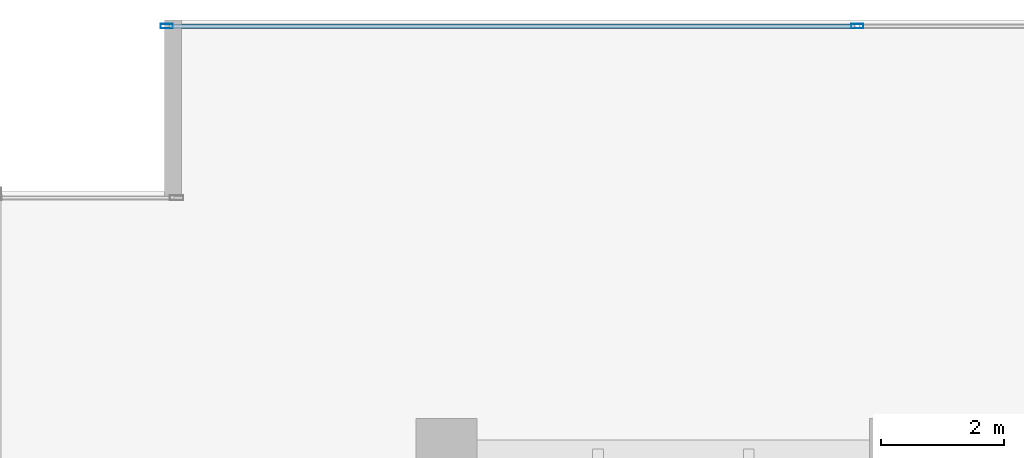
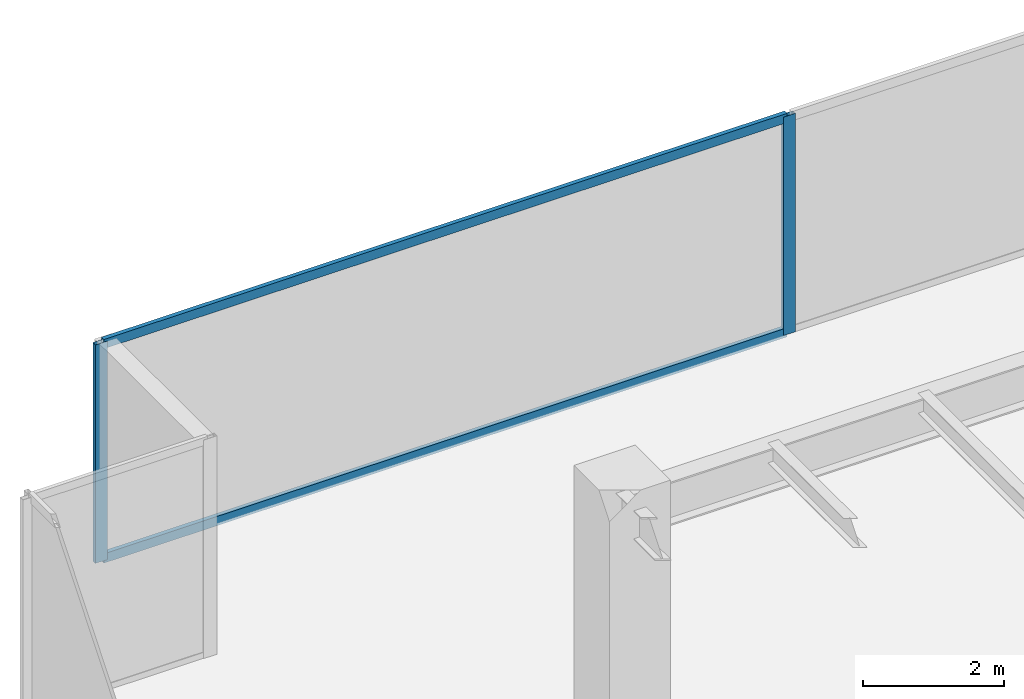
# One storey, part 15 of 35: 4 members, 1 element without a shape of its own.
"""IFC4 building model written with IfcOpenShell, lengths in metres."""

from ifc_helpers import new_model, si_unit, direction, frame, origin, origin_2d, place, context, subcontext, project, spatial, hollow_rectangle, extrude, source, transform, mapped, material, layer, layer_set, material_profile, profile_set, type_object, type_shapes, element, aggregate, save


model = new_model("IFC4")

# Units and contexts
model_context = context("Model", 3, precision=1e-05, world=origin(), true_north=direction((0.0, 1.0)))
body_context = subcontext(model_context, "Body", "Model", "MODEL_VIEW")
ifc_project = project(units=[si_unit("LENGTHUNIT", "METRE"), si_unit("AREAUNIT", "SQUARE_METRE"), si_unit("VOLUMEUNIT", "CUBIC_METRE"), si_unit("PLANEANGLEUNIT", "RADIAN"), si_unit("MASSUNIT", "GRAM", prefix="KILO")], contexts=[model_context])

# Site, building, storey
site_placement = place(None, origin())
site = spatial("IfcSite", under=ifc_project, at=site_placement, CompositionType="ELEMENT")
building_placement = place(site_placement, origin())
building = spatial("IfcBuilding", under=site, at=building_placement, Name="Haelvirn Gate Laboratories", CompositionType="ELEMENT")
storey_placement = place(building_placement, frame((0.0, 0.0, 86.699951171875)))
storey = spatial("IfcBuildingStorey", under=building, at=storey_placement, Name="L21", CompositionType="ELEMENT", Elevation=86.699951171875)

# Curtain wall, members
ifc_material_1 = material(Name="Anodised bronze unitised aluminium & triple low-E glass", Category="aluminium")
ifc_layer = layer(ifc_material_1, 0.18408203125, Name="CW-SYS-2")
ifc_layer_set = layer_set([ifc_layer], Name="Anodised bronze unitised aluminium & triple low-E glass")
curtain_wall_type = type_object("IfcCurtainWallType", Name="CW-SYS-2", PredefinedType="NOTDEFINED", material=ifc_layer_set)
curtain_wall_placement = place(storey_placement, origin())
curtain_wall = element("IfcCurtainWall", 1, at=curtain_wall_placement, inside=storey, type_object=curtain_wall_type, Name="L21 Unitised Curtain Wall CW-L21-P0-E14-1", PredefinedType="NOTDEFINED")
ifc_material_2 = material(Name="Extruded aluminium 6063-T6 (anodised bronze)", Category="aluminium")
ifc_material_profile_1 = material_profile(ifc_material_2, hollow_rectangle(XDim=0.074951171875, YDim=0.199951171875, WallThickness=0.0048828125, at=origin_2d()), Name="CWM-200x75x5")
ifc_profile_set_1 = profile_set([ifc_material_profile_1], Name="Extruded aluminium 6063-T6 (anodised bronze)")
member_type_1 = type_object("IfcMemberType", Name="CWM-T200", PredefinedType="MULLION", material=ifc_profile_set_1)
shared_shape_1 = source(origin(), body_context, "Body", "SweptSolid", [
    extrude(hollow_rectangle(XDim=0.074951171875, YDim=0.199951171875, WallThickness=0.0048828125, at=origin_2d()), origin(), (0.0, 0.0, 1.0), 3.780029296875),
])
type_shapes(member_type_1, [shared_shape_1])
member_1_placement = place(storey_placement, frame((2.83740234375, 48.5, 0.0), z_axis=(0.0, 0.0, 1.0), x_axis=(0.0, 1.0, 0.0)))
member_1 = element("IfcMember", 2, at=member_1_placement, type_object=member_type_1, Name="CW2 mullion 1", PredefinedType="MULLION", context=body_context, shape_type="MappedRepresentation", body=[
    mapped(shared_shape_1, transform((0.0, 0.0, 0.0), scale=1.0)),
])
member_2_placement = place(storey_placement, frame((14.10009765625, 48.5, 0.0), z_axis=(0.0, 0.0, 1.0), x_axis=(0.0, 1.0, 0.0)))
member_2 = element("IfcMember", 3, at=member_2_placement, type_object=member_type_1, Name="CW2 mullion 2", PredefinedType="MULLION", context=body_context, shape_type="MappedRepresentation", body=[
    mapped(shared_shape_1, transform((0.0, 0.0, 0.0), scale=1.0)),
])
ifc_material_profile_2 = material_profile(ifc_material_2, hollow_rectangle(XDim=0.070068359375, YDim=0.159912109375, WallThickness=0.0048828125, at=origin_2d()), Name="CWT-160x70x5")
ifc_profile_set_2 = profile_set([ifc_material_profile_2], Name="Extruded aluminium 6063-T6 (anodised bronze)")
member_type_2 = type_object("IfcMemberType", Name="CWT-T160", PredefinedType="USERDEFINED", material=ifc_profile_set_2)
shared_shape_2 = source(origin(), body_context, "Body", "SweptSolid", [
    extrude(hollow_rectangle(XDim=0.070068359375, YDim=0.159912109375, WallThickness=0.0048828125, at=origin_2d()), origin(), (0.0, 0.0, 1.0), 11.1875),
])
type_shapes(member_type_2, [shared_shape_2])
member_3_placement = place(storey_placement, frame((2.875, 48.5, 0.03515625), z_axis=(1.0, 0.0, 0.0), x_axis=(0.0, 1.0, 0.0)))
member_3 = element("IfcMember", 4, at=member_3_placement, type_object=member_type_2, Name="CW2 transom 1.1", ObjectType="TRANSOM", PredefinedType="USERDEFINED", context=body_context, shape_type="MappedRepresentation", body=[
    mapped(shared_shape_2, transform((0.0, 0.0, 0.0), scale=1.0)),
])
member_4_placement = place(storey_placement, frame((2.875, 48.5, 3.7451171875), z_axis=(1.0, 0.0, 0.0), x_axis=(0.0, 1.0, 0.0)))
member_4 = element("IfcMember", 5, at=member_4_placement, type_object=member_type_2, Name="CW2 transom 1.2", ObjectType="TRANSOM", PredefinedType="USERDEFINED", context=body_context, shape_type="MappedRepresentation", body=[
    mapped(shared_shape_2, transform((0.0, 0.0, 0.0), scale=1.0)),
])
aggregate(curtain_wall, [member_1, member_2, member_3, member_4])

save(model, "model.ifc")
